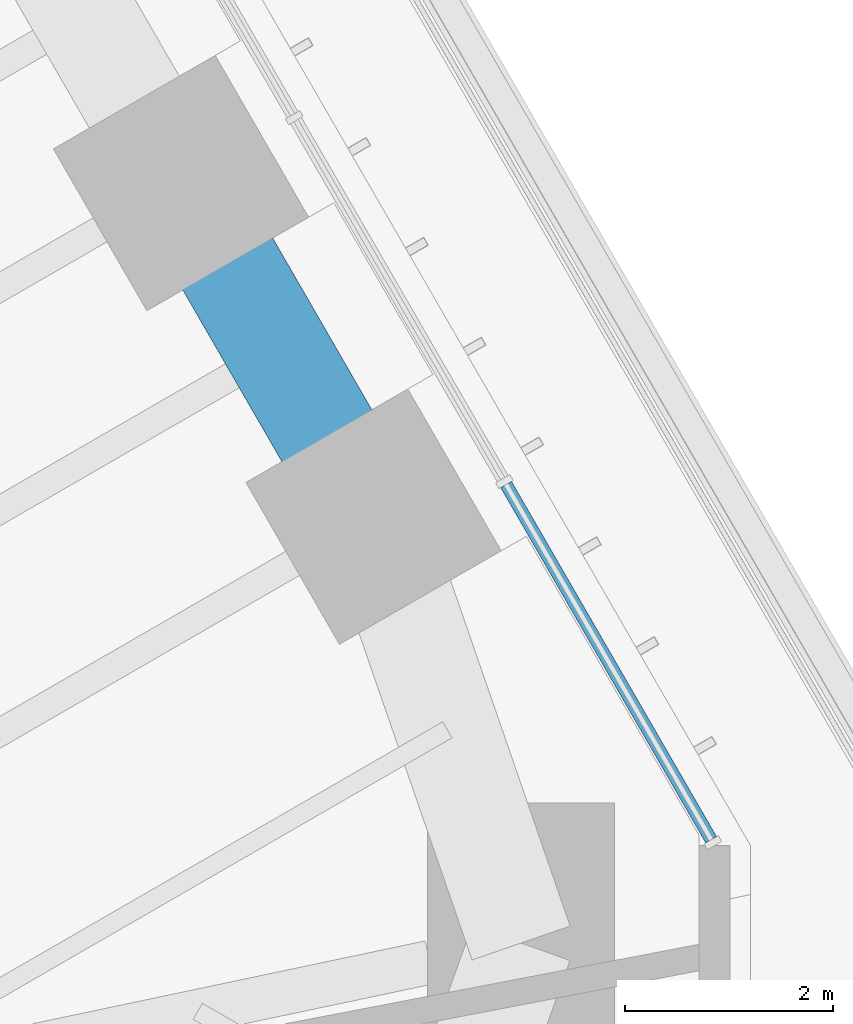
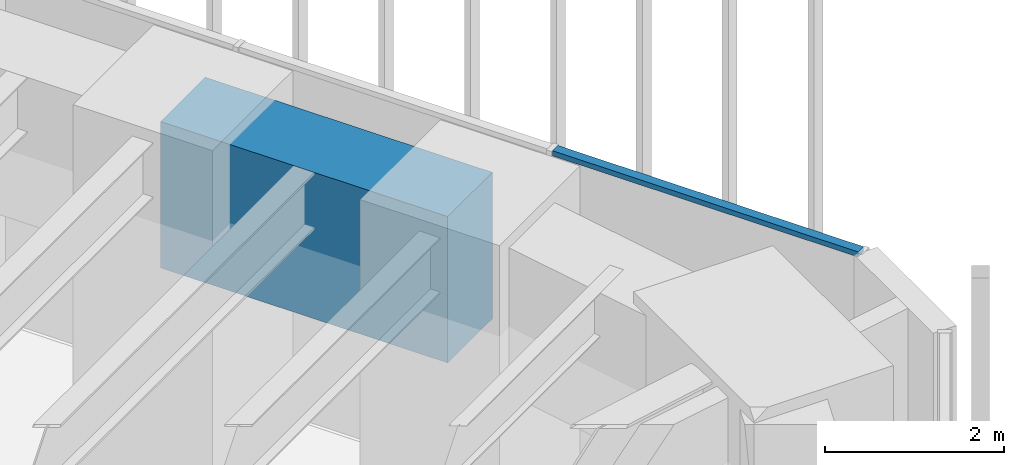
# One storey, part 179 of 228: 1 beam, 1 member, 1 element without a shape of its own.
"""IFC4 building model written with IfcOpenShell, lengths in metres."""

from ifc_helpers import new_model, si_unit, direction, frame, origin, origin_2d, place, context, subcontext, project, spatial, rectangle, extrude, material, material_profile, profile_set, type_object, element, aggregate, save


model = new_model("IFC4")

# Units and contexts
model_context = context("Model", 3, precision=1e-05, world=origin(), true_north=direction((0.0, 1.0)))
body_context = subcontext(model_context, "Body", "Model", "MODEL_VIEW")
ifc_project = project(units=[si_unit("LENGTHUNIT", "METRE"), si_unit("AREAUNIT", "SQUARE_METRE"), si_unit("VOLUMEUNIT", "CUBIC_METRE"), si_unit("PLANEANGLEUNIT", "RADIAN"), si_unit("MASSUNIT", "GRAM", prefix="KILO")], contexts=[model_context])

# Site, building, storey
site_placement = place(None, origin())
site = spatial("IfcSite", under=ifc_project, at=site_placement, CompositionType="ELEMENT")
building_placement = place(site_placement, origin())
building = spatial("IfcBuilding", under=site, at=building_placement, Name="Sandreach Pilgrim Tower", CompositionType="ELEMENT")
storey_placement = place(building_placement, frame((0.0, 0.0, 178.199951171875)))
storey = spatial("IfcBuildingStorey", under=building, at=storey_placement, Name="L44", CompositionType="ELEMENT", Elevation=178.199951171875)

# Curtain wall, member
ifc_material_1 = material(Name="Aluminium framed curtain wall", Category="aluminium")
curtain_wall_type = type_object("IfcCurtainWallType", Name="Upper hotel tower curtain wall", PredefinedType="NOTDEFINED", material=ifc_material_1)
curtain_wall_placement = place(storey_placement, origin())
curtain_wall = element("IfcCurtainWall", 1, at=curtain_wall_placement, inside=storey, type_object=curtain_wall_type, Name="CW-3 L44 NE", PredefinedType="NOTDEFINED")
ifc_material_2 = material(Name="Aluminium extrusion", Category="aluminium")
ifc_material_profile_1 = material_profile(ifc_material_2, rectangle(XDim=0.1201171875, YDim=0.070068359375, at=origin_2d()), Name="CW-3T 120X70")
ifc_profile_set_1 = profile_set([ifc_material_profile_1], Name="Aluminium extrusion")
member_type = type_object("IfcMemberType", Name="CW-3 transom", PredefinedType="USERDEFINED", material=ifc_profile_set_1)
member_placement = place(storey_placement, frame((25.011962890625, 9.728271484375, 4.804931640625), z_axis=(0.499993448556, -0.866029186229, 0.0), x_axis=(0.866029186229, 0.499993448556, 0.0)))
member = element("IfcMember", 2, at=member_placement, type_object=member_type, Name="CW-3 head transom 4", ObjectType="TRANSOM", PredefinedType="USERDEFINED", context=body_context, shape_type="SweptSolid", body=[
    extrude(rectangle(XDim=0.1201171875, YDim=0.070068359375, at=origin_2d()), origin(), (0.0, 0.0, 1.0), 3.951171875),
])
aggregate(curtain_wall, [member])

# Beam
ifc_material_3 = material(Name="Concrete 10000 psi", Category="concrete")
ifc_material_profile_2 = material_profile(ifc_material_3, rectangle(XDim=1.0, YDim=2.0, at=origin_2d()), Name="RC1000X2000")
ifc_profile_set_2 = profile_set([ifc_material_profile_2], Name="Concrete 10000 psi")
beam_type = type_object("IfcBeamType", Name="Spandrel beam RC1000X2000", PredefinedType="SPANDREL", material=ifc_profile_set_2)
beam_placement = place(storey_placement, frame((21.88037109375, 12.632568359375, 3.840087890625), z_axis=(0.499946491854, -0.866056294523, 0.0), x_axis=(0.866056294523, 0.499946491854, 0.0)))
element("IfcBeam", 3, at=beam_placement, inside=storey, type_object=beam_type, Name="BM L44 SP11", PredefinedType="SPANDREL", context=body_context, shape_type="SweptSolid", body=[
    extrude(rectangle(XDim=1.0, YDim=2.0, at=origin_2d()), origin(), (0.0, 0.0, 1.0), 3.71044921875),
])

save(model, "model.ifc")
